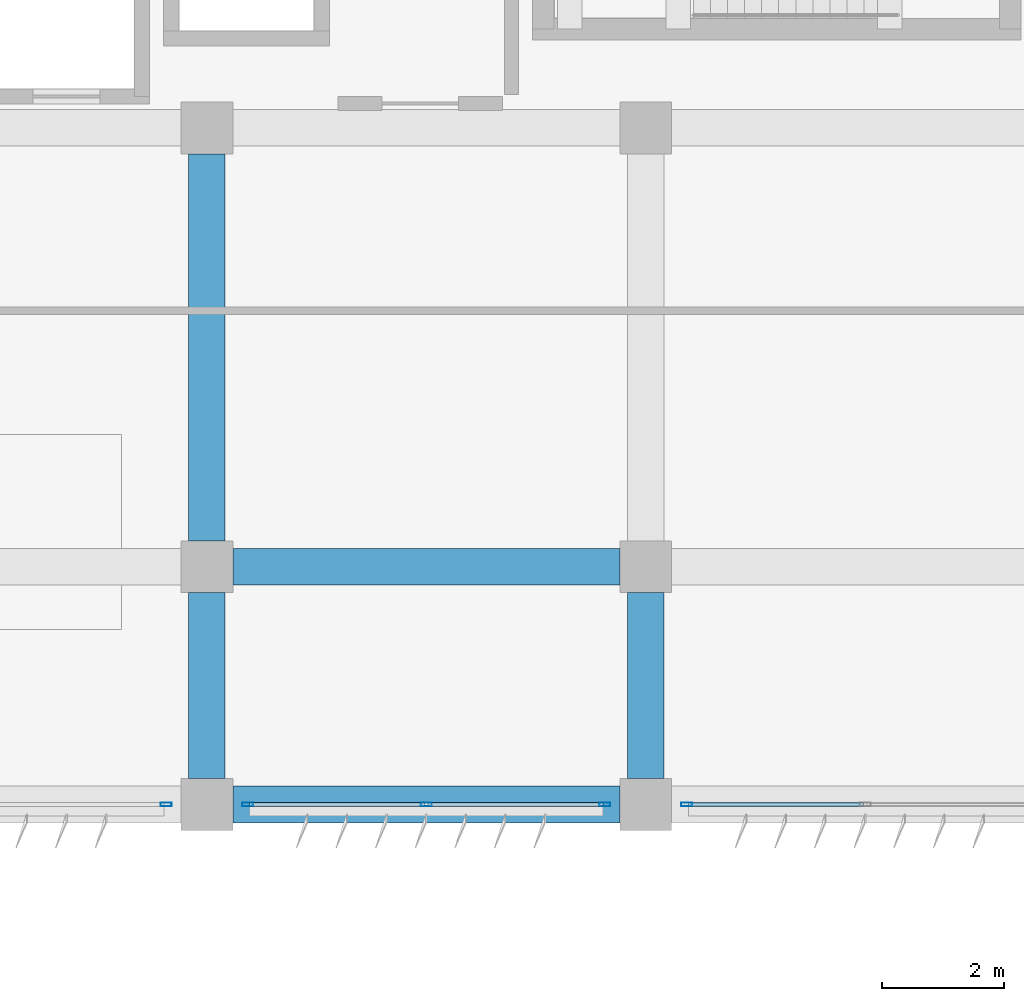
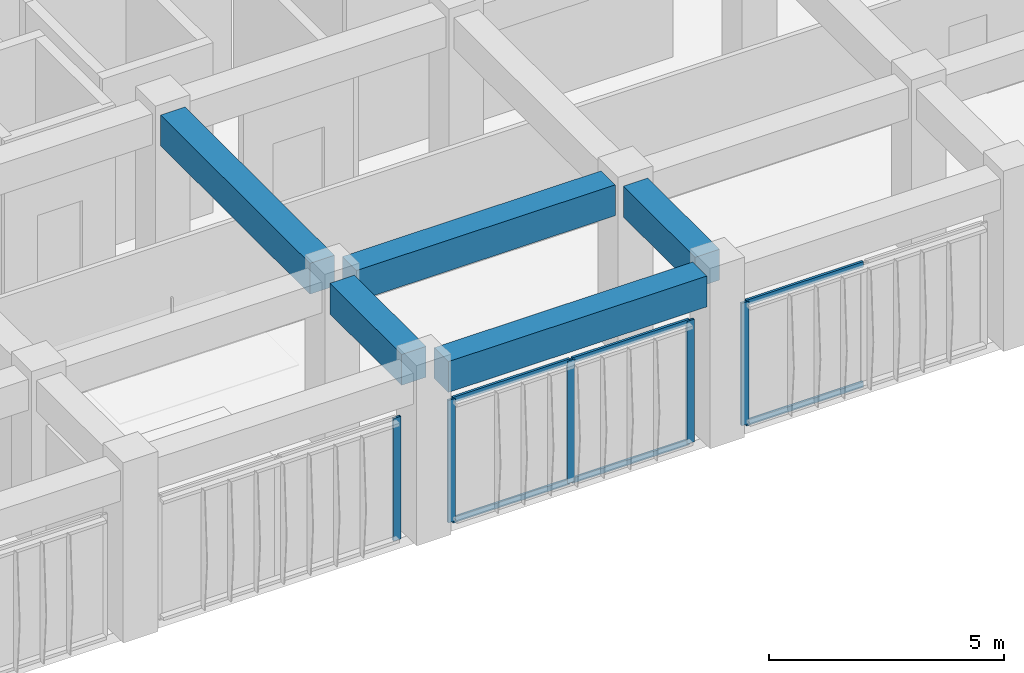
# One storey, part 15 of 55: 11 members, 5 beams, 3 elements without a shape of their own.
"""IFC4 building model written with IfcOpenShell, lengths in metres."""

from ifc_helpers import new_model, si_unit, direction, frame, origin, origin_2d, place, context, subcontext, project, spatial, rectangle, hollow_rectangle, extrude, material, material_profile, profile_set, type_object, element, aggregate, save


model = new_model("IFC4")

# Units and contexts
model_context = context("Model", 3, precision=1e-05, world=origin(), true_north=direction((0.0, 1.0)))
body_context = subcontext(model_context, "Body", "Model", "MODEL_VIEW")
ifc_project = project(units=[si_unit("LENGTHUNIT", "METRE"), si_unit("AREAUNIT", "SQUARE_METRE"), si_unit("VOLUMEUNIT", "CUBIC_METRE"), si_unit("PLANEANGLEUNIT", "RADIAN"), si_unit("MASSUNIT", "GRAM", prefix="KILO")], contexts=[model_context])

# Site, building, storey
site_placement = place(None, origin())
site = spatial("IfcSite", under=ifc_project, at=site_placement, CompositionType="ELEMENT")
building_placement = place(site_placement, origin())
building = spatial("IfcBuilding", under=site, at=building_placement, Name="Kazehaya Institute of Natural Sciences", CompositionType="ELEMENT")
storey_placement = place(building_placement, frame((0.0, 0.0, 15.1201171875)))
storey = spatial("IfcBuildingStorey", under=building, at=storey_placement, Name="L03", CompositionType="ELEMENT", Elevation=15.1201171875)

# Beams
ifc_material_1 = material(Name="Concrete Fc36", Category="concrete")
ifc_material_profile_1 = material_profile(ifc_material_1, rectangle(XDim=0.60009765625, YDim=0.800048828125, at=origin_2d()), Name="RC-600x800")
ifc_profile_set_1 = profile_set([ifc_material_profile_1], Name="Concrete Fc36")
beam_type = type_object("IfcBeamType", Name="BM-G-600x800", PredefinedType="BEAM", material=ifc_profile_set_1)
for number, where, z_axis, x_axis, name in (
    (1, (98.22509765625, 10.10009765625, 4.009765625), (1.0, 0.0, 0.0), (0.0, 1.0, 0.0), "L03 primary X girder BMX-L03-978-101"),
    (2, (98.22509765625, 14.0, 4.009765625), (1.0, 0.0, 0.0), (0.0, 1.0, 0.0), "L03 primary X girder BMX-L03-978-140"),
):
    element("IfcBeam", number, at=place(storey_placement, frame(where, z_axis=z_axis, x_axis=x_axis)), inside=storey, type_object=beam_type, Name=name, PredefinedType="BEAM", context=body_context, shape_type="SweptSolid", body=[
        extrude(rectangle(XDim=0.60009765625, YDim=0.800048828125, at=origin_2d()), origin(), (0.0, 0.0, 1.0), 6.349853515625),
    ])
beam_1_placement = place(storey_placement, frame((97.800048828125, 10.52490234375, 4.009765625), z_axis=(0.0, 1.0, 0.0), x_axis=(-1.0, 0.0, 0.0)))
element("IfcBeam", 3, at=beam_1_placement, inside=storey, type_object=beam_type, Name="L03 primary Y girder BMY-L03-978-101", PredefinedType="BEAM", context=body_context, shape_type="SweptSolid", body=[
    extrude(rectangle(XDim=0.60009765625, YDim=0.800048828125, at=origin_2d()), origin(), (0.0, 0.0, 1.0), 3.050048828125),
])
beam_2_placement = place(storey_placement, frame((97.800048828125, 14.425048828125, 4.009765625), z_axis=(0.0, 1.0, 0.0), x_axis=(-1.0, 0.0, 0.0)))
element("IfcBeam", 4, at=beam_2_placement, inside=storey, type_object=beam_type, Name="L03 primary Y girder BMY-L03-978-140", PredefinedType="BEAM", context=body_context, shape_type="SweptSolid", body=[
    extrude(rectangle(XDim=0.60009765625, YDim=0.800048828125, at=origin_2d()), origin(), (0.0, 0.0, 1.0), 6.349853515625),
])
beam_3_placement = place(storey_placement, frame((105.0, 10.52490234375, 4.009765625), z_axis=(0.0, 1.0, 0.0), x_axis=(-1.0, 0.0, 0.0)))
element("IfcBeam", 5, at=beam_3_placement, inside=storey, type_object=beam_type, Name="L03 primary Y girder BMY-L03-1050-101", PredefinedType="BEAM", context=body_context, shape_type="SweptSolid", body=[
    extrude(rectangle(XDim=0.60009765625, YDim=0.800048828125, at=origin_2d()), origin(), (0.0, 0.0, 1.0), 3.050048828125),
])

# Curtain wall, member
ifc_material_2 = material(Name="Aluminium alloy A6063S-T5", Category="aluminium")
curtain_wall_type = type_object("IfcCurtainWallType", Name="CW-SYS-03", PredefinedType="NOTDEFINED", material=ifc_material_2)
curtain_wall_1_placement = place(storey_placement, origin())
curtain_wall_1 = element("IfcCurtainWall", 6, at=curtain_wall_1_placement, inside=storey, type_object=curtain_wall_type, Name="L03 unitised curtain wall CW-L03-058", PredefinedType="NOTDEFINED")
ifc_material_profile_2 = material_profile(ifc_material_2, hollow_rectangle(XDim=0.06005859375, YDim=0.179931640625, WallThickness=0.00390625, at=origin_2d()), Name="ALU-60x180x4")
ifc_profile_set_2 = profile_set([ifc_material_profile_2], Name="Aluminium alloy A6063S-T5")
member_type_1 = type_object("IfcMemberType", Name="CWM-180", PredefinedType="MULLION", material=ifc_profile_set_2)
member_1_placement = place(storey_placement, frame((105.669921875, 10.10009765625, 0.0), z_axis=(0.0, 0.0, 1.0), x_axis=(0.0, -1.0, 0.0)))
member_1 = element("IfcMember", 7, at=member_1_placement, type_object=member_type_1, Name="CW03 mullion 3", PredefinedType="MULLION", context=body_context, shape_type="SweptSolid", body=[
    extrude(hollow_rectangle(XDim=0.06005859375, YDim=0.179931640625, WallThickness=0.00390625, at=origin_2d()), origin(), (0.0, 0.0, 1.0), 3.179931640625),
])

# Curtain wall, members
curtain_wall_2_placement = place(storey_placement, origin())
curtain_wall_2 = element("IfcCurtainWall", 8, at=curtain_wall_2_placement, inside=storey, type_object=curtain_wall_type, Name="L03 unitised curtain wall CW-L03-059", PredefinedType="NOTDEFINED")
member_2_placement = place(storey_placement, frame((104.330078125, 10.10009765625, 0.0), z_axis=(0.0, 0.0, 1.0), x_axis=(0.0, -1.0, 0.0)))
member_2 = element("IfcMember", 9, at=member_2_placement, type_object=member_type_1, Name="CW03 mullion 1", PredefinedType="MULLION", context=body_context, shape_type="SweptSolid", body=[
    extrude(hollow_rectangle(XDim=0.06005859375, YDim=0.179931640625, WallThickness=0.00390625, at=origin_2d()), origin(), (0.0, 0.0, 1.0), 3.179931640625),
])
member_3_placement = place(storey_placement, frame((101.39990234375, 10.10009765625, 0.0), z_axis=(0.0, 0.0, 1.0), x_axis=(0.0, -1.0, 0.0)))
member_3 = element("IfcMember", 10, at=member_3_placement, type_object=member_type_1, Name="CW03 mullion 2", PredefinedType="MULLION", context=body_context, shape_type="SweptSolid", body=[
    extrude(hollow_rectangle(XDim=0.06005859375, YDim=0.179931640625, WallThickness=0.00390625, at=origin_2d()), origin(), (0.0, 0.0, 1.0), 3.179931640625),
])
member_4_placement = place(storey_placement, frame((98.469970703125, 10.10009765625, 0.0), z_axis=(0.0, 0.0, 1.0), x_axis=(0.0, -1.0, 0.0)))
member_4 = element("IfcMember", 11, at=member_4_placement, type_object=member_type_1, Name="CW03 mullion 3", PredefinedType="MULLION", context=body_context, shape_type="SweptSolid", body=[
    extrude(hollow_rectangle(XDim=0.06005859375, YDim=0.179931640625, WallThickness=0.00390625, at=origin_2d()), origin(), (0.0, 0.0, 1.0), 3.179931640625),
])

# Curtain wall, member
curtain_wall_3_placement = place(storey_placement, origin())
curtain_wall_3 = element("IfcCurtainWall", 12, at=curtain_wall_3_placement, inside=storey, type_object=curtain_wall_type, Name="L03 unitised curtain wall CW-L03-060", PredefinedType="NOTDEFINED")
member_5_placement = place(storey_placement, frame((97.1298828125, 10.10009765625, 0.0), z_axis=(0.0, 0.0, 1.0), x_axis=(0.0, -1.0, 0.0)))
member_5 = element("IfcMember", 13, at=member_5_placement, type_object=member_type_1, Name="CW03 mullion 1", PredefinedType="MULLION", context=body_context, shape_type="SweptSolid", body=[
    extrude(hollow_rectangle(XDim=0.06005859375, YDim=0.179931640625, WallThickness=0.00390625, at=origin_2d()), origin(), (0.0, 0.0, 1.0), 3.179931640625),
])
aggregate(curtain_wall_3, [member_5])

# Member
ifc_material_profile_3 = material_profile(ifc_material_2, hollow_rectangle(XDim=0.06005859375, YDim=0.139892578125, WallThickness=0.00341796875, at=origin_2d()), Name="ALU-60x140x3.5")
ifc_profile_set_3 = profile_set([ifc_material_profile_3], Name="Aluminium alloy A6063S-T5")
member_type_2 = type_object("IfcMemberType", Name="CWT-140", PredefinedType="USERDEFINED", material=ifc_profile_set_3)
member_6_placement = place(storey_placement, frame((108.570068359375, 10.10009765625, 0.02978515625), z_axis=(-1.0, 0.0, 0.0), x_axis=(0.0, -1.0, 0.0)))
member_6 = element("IfcMember", 14, at=member_6_placement, type_object=member_type_2, Name="CW03 transom 2.1", ObjectType="TRANSOM", PredefinedType="USERDEFINED", context=body_context, shape_type="SweptSolid", body=[
    extrude(hollow_rectangle(XDim=0.06005859375, YDim=0.139892578125, WallThickness=0.00341796875, at=origin_2d()), origin(), (0.0, 0.0, 1.0), 2.8701171875),
])

member_7_placement = place(storey_placement, frame((108.570068359375, 10.10009765625, 3.14990234375), z_axis=(-1.0, 0.0, 0.0), x_axis=(0.0, -1.0, 0.0)))
member_7 = element("IfcMember", 15, at=member_7_placement, type_object=member_type_2, Name="CW03 transom 2.2", ObjectType="TRANSOM", PredefinedType="USERDEFINED", context=body_context, shape_type="SweptSolid", body=[
    extrude(hollow_rectangle(XDim=0.06005859375, YDim=0.139892578125, WallThickness=0.00341796875, at=origin_2d()), origin(), (0.0, 0.0, 1.0), 2.8701171875),
])

aggregate(curtain_wall_1, [member_1, member_6, member_7])

member_8_placement = place(storey_placement, frame((104.300048828125, 10.10009765625, 0.02978515625), z_axis=(-1.0, 0.0, 0.0), x_axis=(0.0, -1.0, 0.0)))
member_8 = element("IfcMember", 16, at=member_8_placement, type_object=member_type_2, Name="CW03 transom 1.1", ObjectType="TRANSOM", PredefinedType="USERDEFINED", context=body_context, shape_type="SweptSolid", body=[
    extrude(hollow_rectangle(XDim=0.06005859375, YDim=0.139892578125, WallThickness=0.00341796875, at=origin_2d()), origin(), (0.0, 0.0, 1.0), 2.8701171875),
])

member_9_placement = place(storey_placement, frame((104.300048828125, 10.10009765625, 3.14990234375), z_axis=(-1.0, 0.0, 0.0), x_axis=(0.0, -1.0, 0.0)))
member_9 = element("IfcMember", 17, at=member_9_placement, type_object=member_type_2, Name="CW03 transom 1.2", ObjectType="TRANSOM", PredefinedType="USERDEFINED", context=body_context, shape_type="SweptSolid", body=[
    extrude(hollow_rectangle(XDim=0.06005859375, YDim=0.139892578125, WallThickness=0.00341796875, at=origin_2d()), origin(), (0.0, 0.0, 1.0), 2.8701171875),
])

member_10_placement = place(storey_placement, frame((101.3701171875, 10.10009765625, 0.02978515625), z_axis=(-1.0, 0.0, 0.0), x_axis=(0.0, -1.0, 0.0)))
member_10 = element("IfcMember", 18, at=member_10_placement, type_object=member_type_2, Name="CW03 transom 2.1", ObjectType="TRANSOM", PredefinedType="USERDEFINED", context=body_context, shape_type="SweptSolid", body=[
    extrude(hollow_rectangle(XDim=0.06005859375, YDim=0.139892578125, WallThickness=0.00341796875, at=origin_2d()), origin(), (0.0, 0.0, 1.0), 2.8701171875),
])

member_11_placement = place(storey_placement, frame((101.3701171875, 10.10009765625, 3.14990234375), z_axis=(-1.0, 0.0, 0.0), x_axis=(0.0, -1.0, 0.0)))
member_11 = element("IfcMember", 19, at=member_11_placement, type_object=member_type_2, Name="CW03 transom 2.2", ObjectType="TRANSOM", PredefinedType="USERDEFINED", context=body_context, shape_type="SweptSolid", body=[
    extrude(hollow_rectangle(XDim=0.06005859375, YDim=0.139892578125, WallThickness=0.00341796875, at=origin_2d()), origin(), (0.0, 0.0, 1.0), 2.8701171875),
])

aggregate(curtain_wall_2, [member_2, member_3, member_4, member_8, member_9, member_10, member_11])

save(model, "model.ifc")
